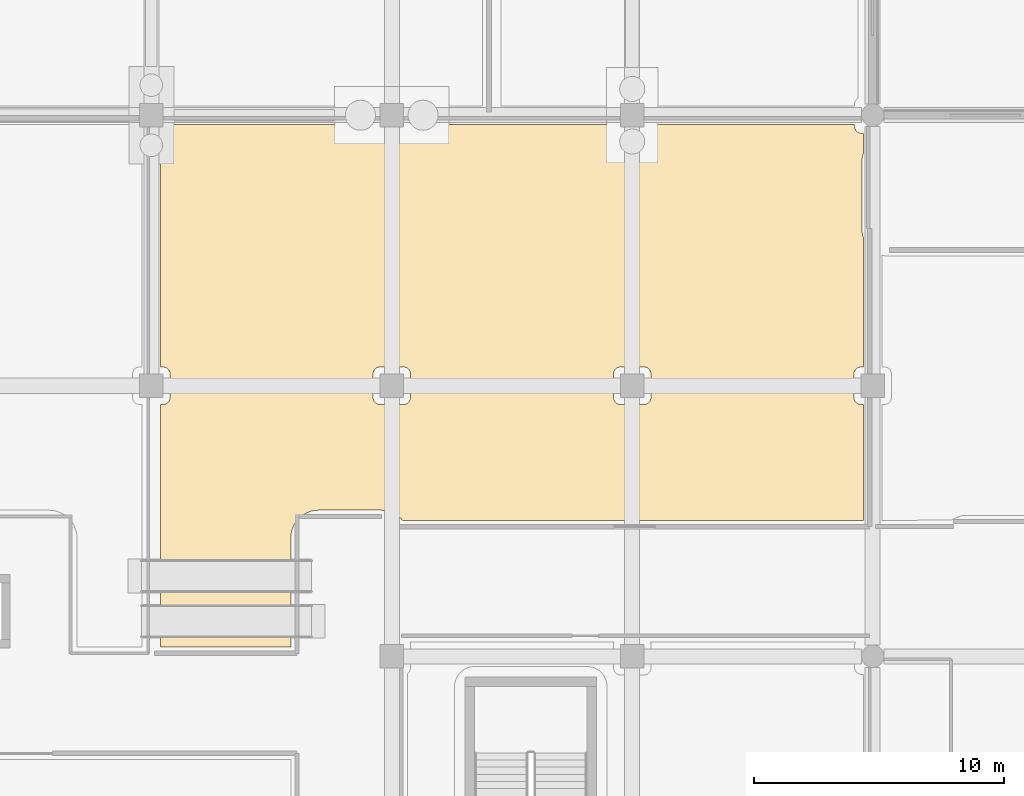
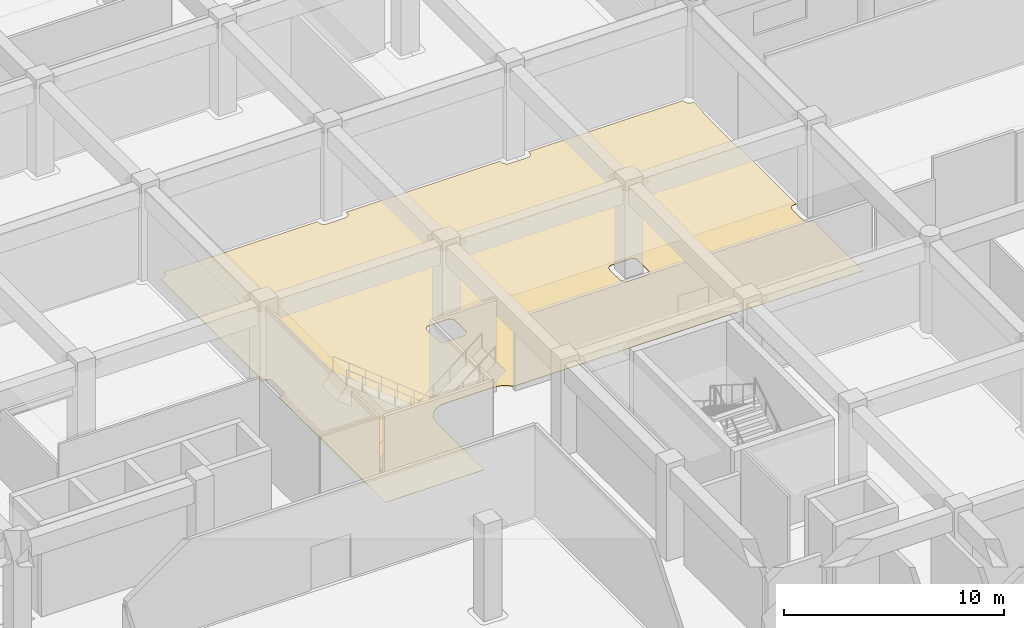
# One storey, part 55 of 74: 1 covering.
"""IFC4 building model written with IfcOpenShell, lengths in metres."""

from ifc_helpers import new_model, si_unit, direction, origin, place, context, subcontext, project, spatial, polyline, outline, extrude, material, layer, layer_set, type_object, element, save


model = new_model("IFC4")

# Units and contexts
model_context = context("Model", 3, precision=1e-05, world=origin(), true_north=direction((0.0, 1.0)))
body_context = subcontext(model_context, "Body", "Model", "MODEL_VIEW")
ifc_project = project(units=[si_unit("LENGTHUNIT", "METRE"), si_unit("AREAUNIT", "SQUARE_METRE"), si_unit("VOLUMEUNIT", "CUBIC_METRE"), si_unit("PLANEANGLEUNIT", "RADIAN"), si_unit("MASSUNIT", "GRAM", prefix="KILO")], contexts=[model_context])

# Site, building, storey
site_placement = place(None, origin())
site = spatial("IfcSite", under=ifc_project, at=site_placement, CompositionType="ELEMENT")
building_placement = place(site_placement, origin())
building = spatial("IfcBuilding", under=site, at=building_placement, Name="Cendralis Terraced Arcade", CompositionType="ELEMENT")
storey_placement = place(building_placement, origin())
storey = spatial("IfcBuildingStorey", under=building, at=storey_placement, Name="L00", CompositionType="ELEMENT", Elevation=0.0)

# Covering
ifc_material = material(Name="Warm Andean oak timber", Category="wood")
ifc_layer = layer(ifc_material, 0.02197265625, Name="COV-FLR-OAK-22")
ifc_layer_set = layer_set([ifc_layer], Name="Warm Andean oak timber")
covering_type = type_object("IfcCoveringType", Name="COV-FLR-OAK-22", PredefinedType="FLOORING", material=ifc_layer_set)
covering_placement = place(storey_placement, origin())
element("IfcCovering", 1, at=covering_placement, inside=storey, type_object=covering_type, Name="Interior Finish Flooring L00-029", PredefinedType="FLOORING", context=body_context, shape_type="SweptSolid", body=[
    extrude(outline(polyline([(48.430908203125, 43.833251953125), (48.42724609375, 43.837890625), (48.423095703125, 43.84228515625), (48.382080078125, 43.887451171875), (48.378173828125, 43.89208984375), (48.3740234375, 43.896240234375), (48.36962890625, 43.900634765625), (48.361328125, 43.908935546875), (48.35693359375, 43.9130859375), (48.352783203125, 43.917236328125), (48.34814453125, 43.92138671875), (48.302978515625, 43.96240234375), (48.298583984375, 43.96630859375), (48.294189453125, 43.97021484375), (48.289306640625, 43.97412109375), (48.2802734375, 43.981689453125), (48.275390625, 43.985595703125), (48.27099609375, 43.989013671875), (48.26611328125, 43.992919921875), (48.217041015625, 44.029052734375), (48.212158203125, 44.03271484375), (48.207275390625, 44.0361328125), (48.202392578125, 44.03955078125), (48.1923828125, 44.046142578125), (48.187255859375, 44.04931640625), (48.182373046875, 44.052490234375), (48.177001953125, 44.055908203125), (48.125, 44.087158203125), (48.11962890625, 44.090087890625), (48.114501953125, 44.093017578125), (48.109130859375, 44.095947265625), (48.098876953125, 44.1015625), (48.09326171875, 44.1044921875), (48.087890625, 44.107177734375), (48.08251953125, 44.109619140625), (48.027587890625, 44.1357421875), (48.02197265625, 44.13818359375), (48.0166015625, 44.140625), (48.010986328125, 44.14306640625), (48.0, 44.147705078125), (47.994384765625, 44.14990234375), (47.989013671875, 44.152099609375), (47.983154296875, 44.154296875), (47.92578125, 44.1748046875), (47.919921875, 44.1767578125), (47.914306640625, 44.178466796875), (47.90869140625, 44.180419921875), (47.897216796875, 44.183837890625), (47.891357421875, 44.185546875), (47.8857421875, 44.18701171875), (47.8798828125, 44.188720703125), (47.82080078125, 44.203369140625), (47.814697265625, 44.204833984375), (47.80908203125, 44.2060546875), (47.802978515625, 44.20751953125), (47.79150390625, 44.209716796875), (47.785400390625, 44.210693359375), (47.77978515625, 44.2119140625), (47.773681640625, 44.212890625), (47.71337890625, 44.2216796875), (47.70751953125, 44.222412109375), (47.701416015625, 44.223388671875), (47.6953125, 44.223876953125), (47.68359375, 44.22509765625), (47.677490234375, 44.2255859375), (47.671630859375, 44.22607421875), (47.66552734375, 44.226318359375), (47.604736328125, 44.2294921875), (47.601806640625, 44.2294921875), (47.598876953125, 44.2294921875), (47.595703125, 44.229736328125), (47.58984375, 44.22998046875), (47.5869140625, 44.22998046875), (47.583740234375, 44.22998046875), (47.580810546875, 44.22998046875), (45.080078125, 44.22998046875), (45.076904296875, 44.22998046875), (45.073974609375, 44.22998046875), (45.07080078125, 44.22998046875), (45.06494140625, 44.229736328125), (45.06201171875, 44.2294921875), (45.05908203125, 44.2294921875), (45.055908203125, 44.2294921875), (44.9951171875, 44.226318359375), (44.989013671875, 44.22607421875), (44.983154296875, 44.2255859375), (44.97705078125, 44.22509765625), (44.96533203125, 44.223876953125), (44.959228515625, 44.223388671875), (44.953369140625, 44.222412109375), (44.947265625, 44.2216796875), (44.88720703125, 44.212890625), (44.881103515625, 44.2119140625), (44.875244140625, 44.210693359375), (44.869384765625, 44.209716796875), (44.857666015625, 44.20751953125), (44.851806640625, 44.2060546875), (44.845947265625, 44.204833984375), (44.840087890625, 44.203369140625), (44.781005859375, 44.188720703125), (44.77490234375, 44.18701171875), (44.769287109375, 44.185546875), (44.763427734375, 44.183837890625), (44.752197265625, 44.180419921875), (44.746337890625, 44.178466796875), (44.74072265625, 44.1767578125), (44.73486328125, 44.1748046875), (44.677734375, 44.154296875), (44.671875, 44.152099609375), (44.66650390625, 44.14990234375), (44.66064453125, 44.147705078125), (44.64990234375, 44.14306640625), (44.644287109375, 44.140625), (44.638916015625, 44.13818359375), (44.63330078125, 44.1357421875), (44.578125, 44.109619140625), (44.57275390625, 44.107177734375), (44.5673828125, 44.1044921875), (44.56201171875, 44.1015625), (44.551513671875, 44.095947265625), (44.546142578125, 44.093017578125), (44.541015625, 44.090087890625), (44.535888671875, 44.087158203125), (44.483642578125, 44.055908203125), (44.478515625, 44.052490234375), (44.473388671875, 44.04931640625), (44.46826171875, 44.046142578125), (44.45849609375, 44.03955078125), (44.453369140625, 44.0361328125), (44.448486328125, 44.03271484375), (44.443603515625, 44.029052734375), (44.394775390625, 43.992919921875), (44.389892578125, 43.989013671875), (44.38525390625, 43.985595703125), (44.380615234375, 43.981689453125), (44.371337890625, 43.97412109375), (44.36669921875, 43.97021484375), (44.3623046875, 43.96630859375), (44.357666015625, 43.96240234375), (44.3125, 43.92138671875), (44.30810546875, 43.917236328125), (44.3037109375, 43.9130859375), (44.29931640625, 43.908935546875), (44.291015625, 43.900634765625), (44.286865234375, 43.896240234375), (44.28271484375, 43.89208984375), (44.278564453125, 43.887451171875), (44.23779296875, 43.84228515625), (44.233642578125, 43.837890625), (44.229736328125, 43.833251953125), (44.225830078125, 43.82861328125), (44.21826171875, 43.819580078125), (44.214599609375, 43.814697265625), (44.2109375, 43.81005859375), (44.207275390625, 43.80517578125), (44.1708984375, 43.75634765625), (44.167236328125, 43.75146484375), (44.163818359375, 43.74658203125), (44.160400390625, 43.741455078125), (44.15380859375, 43.731689453125), (44.150634765625, 43.7265625), (44.1474609375, 43.7216796875), (44.144287109375, 43.71630859375), (44.11279296875, 43.664306640625), (44.10986328125, 43.658935546875), (44.10693359375, 43.65380859375), (44.10400390625, 43.6484375), (44.098388671875, 43.637939453125), (44.095703125, 43.632568359375), (44.093017578125, 43.627197265625), (44.09033203125, 43.621826171875), (44.064208984375, 43.56689453125), (44.061767578125, 43.561279296875), (44.059326171875, 43.555908203125), (44.056884765625, 43.55029296875), (44.052490234375, 43.539306640625), (44.050048828125, 43.53369140625), (44.048095703125, 43.528076171875), (44.0458984375, 43.522216796875), (44.025390625, 43.465087890625), (44.023193359375, 43.459228515625), (44.021484375, 43.45361328125), (44.01953125, 43.44775390625), (44.01611328125, 43.4365234375), (44.014404296875, 43.4306640625), (44.012939453125, 43.425048828125), (44.011474609375, 43.4189453125), (43.99658203125, 43.360107421875), (43.9951171875, 43.35400390625), (43.993896484375, 43.348388671875), (43.99267578125, 43.34228515625), (43.990234375, 43.330810546875), (43.9892578125, 43.32470703125), (43.98828125, 43.31884765625), (43.9873046875, 43.31298828125), (43.978271484375, 43.252685546875), (43.9775390625, 43.24658203125), (43.976806640625, 43.24072265625), (43.97607421875, 43.234619140625), (43.974853515625, 43.222900390625), (43.974365234375, 43.216796875), (43.97412109375, 43.2109375), (43.9736328125, 43.204833984375), (43.970703125, 43.14404296875), (43.970458984375, 43.14111328125), (43.970458984375, 43.137939453125), (43.97021484375, 43.135009765625), (43.97021484375, 43.129150390625), (43.97021484375, 43.1259765625), (43.969970703125, 43.123046875), (43.969970703125, 43.1201171875), (43.969970703125, 38.77001953125), (38.77001953125, 38.77001953125), (38.77001953125, 48.455078125), (38.875, 48.455078125), (38.88720703125, 48.455322265625), (38.88916015625, 48.455322265625), (38.91357421875, 48.457763671875), (38.91552734375, 48.4580078125), (38.939697265625, 48.462890625), (38.941650390625, 48.46337890625), (38.965087890625, 48.470458984375), (38.966796875, 48.47119140625), (38.989501953125, 48.48046875), (38.9912109375, 48.4814453125), (39.012939453125, 48.492919921875), (39.0146484375, 48.493896484375), (39.034912109375, 48.507568359375), (39.03662109375, 48.5087890625), (39.0556640625, 48.5244140625), (39.056884765625, 48.525634765625), (39.074462890625, 48.54296875), (39.07568359375, 48.54443359375), (39.09130859375, 48.5634765625), (39.09228515625, 48.56494140625), (39.106201171875, 48.58544921875), (39.107177734375, 48.5869140625), (39.11865234375, 48.608642578125), (39.119384765625, 48.610595703125), (39.12890625, 48.633056640625), (39.12939453125, 48.635009765625), (39.13671875, 48.658447265625), (39.13720703125, 48.660400390625), (39.141845703125, 48.684326171875), (39.14208984375, 48.686279296875), (39.14453125, 48.710693359375), (39.144775390625, 48.712646484375), (39.14501953125, 48.72509765625), (39.14501953125, 49.675048828125), (39.144775390625, 49.687255859375), (39.14453125, 49.689208984375), (39.14208984375, 49.713623046875), (39.141845703125, 49.715576171875), (39.13720703125, 49.739501953125), (39.13671875, 49.74169921875), (39.12939453125, 49.764892578125), (39.12890625, 49.766845703125), (39.119384765625, 49.78955078125), (39.11865234375, 49.791259765625), (39.107177734375, 49.81298828125), (39.106201171875, 49.814697265625), (39.09228515625, 49.8349609375), (39.09130859375, 49.836669921875), (39.07568359375, 49.855712890625), (39.074462890625, 49.85693359375), (39.056884765625, 49.87451171875), (39.0556640625, 49.875732421875), (39.03662109375, 49.891357421875), (39.034912109375, 49.892333984375), (39.0146484375, 49.906005859375), (39.012939453125, 49.906982421875), (38.9912109375, 49.918701171875), (38.989501953125, 49.91943359375), (38.966796875, 49.928955078125), (38.965087890625, 49.929443359375), (38.941650390625, 49.9365234375), (38.939697265625, 49.93701171875), (38.91552734375, 49.94189453125), (38.91357421875, 49.942138671875), (38.88916015625, 49.944580078125), (38.88720703125, 49.944580078125), (38.875, 49.945068359375), (38.77001953125, 49.945068359375), (38.77001953125, 59.2548828125), (38.875, 59.2548828125), (38.88720703125, 59.25537109375), (38.88916015625, 59.25537109375), (38.91357421875, 59.2578125), (38.91552734375, 59.258056640625), (38.939697265625, 59.262939453125), (38.941650390625, 59.263427734375), (38.965087890625, 59.2705078125), (38.966796875, 59.27099609375), (38.989501953125, 59.280517578125), (38.9912109375, 59.281494140625), (39.012939453125, 59.29296875), (39.0146484375, 59.2939453125), (39.034912109375, 59.3076171875), (39.03662109375, 59.30859375), (39.0556640625, 59.32421875), (39.056884765625, 59.32568359375), (39.074462890625, 59.343017578125), (39.07568359375, 59.344482421875), (39.09130859375, 59.36328125), (39.09228515625, 59.364990234375), (39.106201171875, 59.385498046875), (39.107177734375, 59.386962890625), (39.11865234375, 59.40869140625), (39.119384765625, 59.410400390625), (39.12890625, 59.43310546875), (39.12939453125, 59.43505859375), (39.13671875, 59.45849609375), (39.13720703125, 59.46044921875), (39.141845703125, 59.484375), (39.14208984375, 59.486328125), (39.14453125, 59.5107421875), (39.144775390625, 59.5126953125), (39.14501953125, 59.52490234375), (39.14501953125, 59.6298828125), (47.2548828125, 59.6298828125), (47.2548828125, 59.52490234375), (47.25537109375, 59.5126953125), (47.25537109375, 59.5107421875), (47.2578125, 59.486328125), (47.258056640625, 59.484375), (47.262939453125, 59.46044921875), (47.263427734375, 59.45849609375), (47.2705078125, 59.43505859375), (47.27099609375, 59.43310546875), (47.280517578125, 59.410400390625), (47.281494140625, 59.40869140625), (47.29296875, 59.386962890625), (47.2939453125, 59.385498046875), (47.3076171875, 59.364990234375), (47.30859375, 59.36328125), (47.32421875, 59.344482421875), (47.32568359375, 59.343017578125), (47.343017578125, 59.32568359375), (47.344482421875, 59.32421875), (47.36328125, 59.30859375), (47.364990234375, 59.3076171875), (47.385498046875, 59.2939453125), (47.386962890625, 59.29296875), (47.40869140625, 59.281494140625), (47.410400390625, 59.280517578125), (47.43310546875, 59.27099609375), (47.43505859375, 59.2705078125), (47.45849609375, 59.263427734375), (47.46044921875, 59.262939453125), (47.484375, 59.258056640625), (47.486328125, 59.2578125), (47.5107421875, 59.25537109375), (47.5126953125, 59.25537109375), (47.52490234375, 59.2548828125), (48.47509765625, 59.2548828125), (48.4873046875, 59.25537109375), (48.4892578125, 59.25537109375), (48.513671875, 59.2578125), (48.515625, 59.258056640625), (48.53955078125, 59.262939453125), (48.54150390625, 59.263427734375), (48.56494140625, 59.2705078125), (48.56689453125, 59.27099609375), (48.589599609375, 59.280517578125), (48.59130859375, 59.281494140625), (48.613037109375, 59.29296875), (48.614501953125, 59.2939453125), (48.635009765625, 59.3076171875), (48.63671875, 59.30859375), (48.655517578125, 59.32421875), (48.656982421875, 59.32568359375), (48.67431640625, 59.343017578125), (48.67578125, 59.344482421875), (48.69140625, 59.36328125), (48.6923828125, 59.364990234375), (48.7060546875, 59.385498046875), (48.70703125, 59.386962890625), (48.718505859375, 59.40869140625), (48.719482421875, 59.410400390625), (48.72900390625, 59.43310546875), (48.7294921875, 59.43505859375), (48.736572265625, 59.45849609375), (48.737060546875, 59.46044921875), (48.741943359375, 59.484375), (48.7421875, 59.486328125), (48.74462890625, 59.5107421875), (48.74462890625, 59.5126953125), (48.7451171875, 59.52490234375), (48.7451171875, 59.6298828125), (56.85498046875, 59.6298828125), (56.85498046875, 59.52490234375), (56.855224609375, 59.5126953125), (56.85546875, 59.5107421875), (56.85791015625, 59.486328125), (56.858154296875, 59.484375), (56.86279296875, 59.46044921875), (56.86328125, 59.45849609375), (56.87060546875, 59.43505859375), (56.87109375, 59.43310546875), (56.880615234375, 59.410400390625), (56.88134765625, 59.40869140625), (56.892822265625, 59.386962890625), (56.893798828125, 59.385498046875), (56.90771484375, 59.364990234375), (56.90869140625, 59.36328125), (56.92431640625, 59.344482421875), (56.925537109375, 59.343017578125), (56.943115234375, 59.32568359375), (56.9443359375, 59.32421875), (56.96337890625, 59.30859375), (56.965087890625, 59.3076171875), (56.9853515625, 59.2939453125), (56.987060546875, 59.29296875), (57.0087890625, 59.281494140625), (57.010498046875, 59.280517578125), (57.033203125, 59.27099609375), (57.034912109375, 59.2705078125), (57.058349609375, 59.263427734375), (57.060302734375, 59.262939453125), (57.08447265625, 59.258056640625), (57.08642578125, 59.2578125), (57.11083984375, 59.25537109375), (57.11279296875, 59.25537109375), (57.125, 59.2548828125), (58.074951171875, 59.2548828125), (58.08740234375, 59.25537109375), (58.089111328125, 59.25537109375), (58.113525390625, 59.2578125), (58.115478515625, 59.258056640625), (58.1396484375, 59.262939453125), (58.1416015625, 59.263427734375), (58.1650390625, 59.2705078125), (58.1669921875, 59.27099609375), (58.189453125, 59.280517578125), (58.19140625, 59.281494140625), (58.212890625, 59.29296875), (58.214599609375, 59.2939453125), (58.235107421875, 59.3076171875), (58.236572265625, 59.30859375), (58.255615234375, 59.32421875), (58.257080078125, 59.32568359375), (58.2744140625, 59.343017578125), (58.275634765625, 59.344482421875), (58.291259765625, 59.36328125), (58.29248046875, 59.364990234375), (58.30615234375, 59.385498046875), (58.30712890625, 59.386962890625), (58.318603515625, 59.40869140625), (58.319580078125, 59.410400390625), (58.328857421875, 59.43310546875), (58.32958984375, 59.43505859375), (58.336669921875, 59.45849609375), (58.337158203125, 59.46044921875), (58.341796875, 59.484375), (58.34228515625, 59.486328125), (58.344482421875, 59.5107421875), (58.3447265625, 59.5126953125), (58.344970703125, 59.52490234375), (58.344970703125, 59.6298828125), (66.47998046875, 59.6298828125), (66.47998046875, 59.550048828125), (66.480224609375, 59.53759765625), (66.48046875, 59.535888671875), (66.48291015625, 59.511474609375), (66.483154296875, 59.509521484375), (66.48779296875, 59.4853515625), (66.48828125, 59.4833984375), (66.49560546875, 59.4599609375), (66.49609375, 59.4580078125), (66.505615234375, 59.435546875), (66.50634765625, 59.43359375), (66.517822265625, 59.412109375), (66.518798828125, 59.410400390625), (66.53271484375, 59.389892578125), (66.53369140625, 59.388427734375), (66.54931640625, 59.369384765625), (66.550537109375, 59.367919921875), (66.568115234375, 59.3505859375), (66.5693359375, 59.349365234375), (66.58837890625, 59.333740234375), (66.590087890625, 59.33251953125), (66.6103515625, 59.31884765625), (66.612060546875, 59.31787109375), (66.6337890625, 59.306396484375), (66.635498046875, 59.305419921875), (66.658203125, 59.296142578125), (66.659912109375, 59.29541015625), (66.683349609375, 59.288330078125), (66.685302734375, 59.287841796875), (66.70947265625, 59.283203125), (66.71142578125, 59.28271484375), (66.73583984375, 59.280517578125), (66.73779296875, 59.2802734375), (66.75, 59.280029296875), (66.830078125, 59.280029296875), (66.830078125, 58.47802734375), (66.8251953125, 58.465087890625), (66.8232421875, 58.459228515625), (66.821533203125, 58.45361328125), (66.819580078125, 58.44775390625), (66.816162109375, 58.4365234375), (66.814453125, 58.4306640625), (66.81298828125, 58.425048828125), (66.811279296875, 58.4189453125), (66.796630859375, 58.360107421875), (66.795166015625, 58.35400390625), (66.7939453125, 58.348388671875), (66.79248046875, 58.34228515625), (66.790283203125, 58.330810546875), (66.789306640625, 58.32470703125), (66.7880859375, 58.31884765625), (66.787109375, 58.31298828125), (66.7783203125, 58.252685546875), (66.777587890625, 58.24658203125), (66.776611328125, 58.24072265625), (66.776123046875, 58.234619140625), (66.77490234375, 58.222900390625), (66.7744140625, 58.216796875), (66.77392578125, 58.2109375), (66.773681640625, 58.204833984375), (66.7705078125, 58.14404296875), (66.7705078125, 58.14111328125), (66.7705078125, 58.137939453125), (66.770263671875, 58.135009765625), (66.77001953125, 58.129150390625), (66.77001953125, 58.1259765625), (66.77001953125, 58.123046875), (66.77001953125, 58.1201171875), (66.77001953125, 55.47998046875), (66.77001953125, 55.476806640625), (66.77001953125, 55.47412109375), (66.77001953125, 55.470947265625), (66.770263671875, 55.465087890625), (66.7705078125, 55.4619140625), (66.7705078125, 55.458984375), (66.7705078125, 55.4560546875), (66.773681640625, 55.395263671875), (66.77392578125, 55.38916015625), (66.7744140625, 55.38330078125), (66.77490234375, 55.377197265625), (66.776123046875, 55.365478515625), (66.776611328125, 55.359375), (66.777587890625, 55.353515625), (66.7783203125, 55.347412109375), (66.787109375, 55.287109375), (66.7880859375, 55.281005859375), (66.789306640625, 55.275390625), (66.790283203125, 55.269287109375), (66.79248046875, 55.2578125), (66.7939453125, 55.251708984375), (66.795166015625, 55.24609375), (66.796630859375, 55.239990234375), (66.811279296875, 55.180908203125), (66.81298828125, 55.175048828125), (66.814453125, 55.16943359375), (66.816162109375, 55.16357421875), (66.819580078125, 55.152099609375), (66.821533203125, 55.146240234375), (66.8232421875, 55.140625), (66.8251953125, 55.135009765625), (66.830078125, 55.121826171875), (66.830078125, 49.945068359375), (66.72509765625, 49.945068359375), (66.712646484375, 49.944580078125), (66.710693359375, 49.944580078125), (66.686279296875, 49.942138671875), (66.684326171875, 49.94189453125), (66.660400390625, 49.93701171875), (66.658447265625, 49.9365234375), (66.635009765625, 49.929443359375), (66.633056640625, 49.928955078125), (66.610595703125, 49.91943359375), (66.608642578125, 49.918701171875), (66.5869140625, 49.906982421875), (66.58544921875, 49.906005859375), (66.56494140625, 49.892333984375), (66.5634765625, 49.891357421875), (66.54443359375, 49.875732421875), (66.54296875, 49.87451171875), (66.525634765625, 49.85693359375), (66.5244140625, 49.855712890625), (66.5087890625, 49.836669921875), (66.507568359375, 49.8349609375), (66.493896484375, 49.814697265625), (66.492919921875, 49.81298828125), (66.4814453125, 49.791259765625), (66.48046875, 49.78955078125), (66.47119140625, 49.766845703125), (66.470458984375, 49.764892578125), (66.46337890625, 49.74169921875), (66.462890625, 49.739501953125), (66.4580078125, 49.715576171875), (66.457763671875, 49.713623046875), (66.455322265625, 49.689208984375), (66.455322265625, 49.687255859375), (66.455078125, 49.675048828125), (66.455078125, 48.72509765625), (66.455322265625, 48.712646484375), (66.455322265625, 48.710693359375), (66.457763671875, 48.686279296875), (66.4580078125, 48.684326171875), (66.462890625, 48.660400390625), (66.46337890625, 48.658447265625), (66.470458984375, 48.635009765625), (66.47119140625, 48.633056640625), (66.48046875, 48.610595703125), (66.4814453125, 48.608642578125), (66.492919921875, 48.5869140625), (66.493896484375, 48.58544921875), (66.507568359375, 48.56494140625), (66.5087890625, 48.5634765625), (66.5244140625, 48.54443359375), (66.525634765625, 48.54296875), (66.54296875, 48.525634765625), (66.54443359375, 48.5244140625), (66.5634765625, 48.5087890625), (66.56494140625, 48.507568359375), (66.58544921875, 48.493896484375), (66.5869140625, 48.492919921875), (66.608642578125, 48.4814453125), (66.610595703125, 48.48046875), (66.633056640625, 48.47119140625), (66.635009765625, 48.470458984375), (66.658447265625, 48.46337890625), (66.660400390625, 48.462890625), (66.684326171875, 48.4580078125), (66.686279296875, 48.457763671875), (66.710693359375, 48.455322265625), (66.712646484375, 48.455322265625), (66.72509765625, 48.455078125), (66.830078125, 48.455078125), (66.830078125, 43.830078125), (48.433837890625, 43.830078125), (48.430908203125, 43.833251953125)]), holes=[polyline([(57.0087890625, 48.4814453125), (57.010498046875, 48.48046875), (57.033203125, 48.47119140625), (57.034912109375, 48.470458984375), (57.058349609375, 48.46337890625), (57.060302734375, 48.462890625), (57.08447265625, 48.4580078125), (57.08642578125, 48.457763671875), (57.11083984375, 48.455322265625), (57.11279296875, 48.455322265625), (57.125, 48.455078125), (58.074951171875, 48.455078125), (58.08740234375, 48.455322265625), (58.089111328125, 48.455322265625), (58.113525390625, 48.457763671875), (58.115478515625, 48.4580078125), (58.1396484375, 48.462890625), (58.1416015625, 48.46337890625), (58.1650390625, 48.470458984375), (58.1669921875, 48.47119140625), (58.189453125, 48.48046875), (58.19140625, 48.4814453125), (58.212890625, 48.492919921875), (58.214599609375, 48.493896484375), (58.235107421875, 48.507568359375), (58.236572265625, 48.5087890625), (58.255615234375, 48.5244140625), (58.257080078125, 48.525634765625), (58.2744140625, 48.54296875), (58.275634765625, 48.54443359375), (58.291259765625, 48.5634765625), (58.29248046875, 48.56494140625), (58.30615234375, 48.58544921875), (58.30712890625, 48.5869140625), (58.318603515625, 48.608642578125), (58.319580078125, 48.610595703125), (58.328857421875, 48.633056640625), (58.32958984375, 48.635009765625), (58.336669921875, 48.658447265625), (58.337158203125, 48.660400390625), (58.341796875, 48.684326171875), (58.34228515625, 48.686279296875), (58.344482421875, 48.710693359375), (58.3447265625, 48.712646484375), (58.344970703125, 48.72509765625), (58.344970703125, 49.675048828125), (58.3447265625, 49.687255859375), (58.344482421875, 49.689208984375), (58.34228515625, 49.713623046875), (58.341796875, 49.715576171875), (58.337158203125, 49.739501953125), (58.336669921875, 49.74169921875), (58.32958984375, 49.764892578125), (58.328857421875, 49.766845703125), (58.319580078125, 49.78955078125), (58.318603515625, 49.791259765625), (58.30712890625, 49.81298828125), (58.30615234375, 49.814697265625), (58.29248046875, 49.8349609375), (58.291259765625, 49.836669921875), (58.275634765625, 49.855712890625), (58.2744140625, 49.85693359375), (58.257080078125, 49.87451171875), (58.255615234375, 49.875732421875), (58.236572265625, 49.891357421875), (58.235107421875, 49.892333984375), (58.214599609375, 49.906005859375), (58.212890625, 49.906982421875), (58.19140625, 49.918701171875), (58.189453125, 49.91943359375), (58.1669921875, 49.928955078125), (58.1650390625, 49.929443359375), (58.1416015625, 49.9365234375), (58.1396484375, 49.93701171875), (58.115478515625, 49.94189453125), (58.113525390625, 49.942138671875), (58.089111328125, 49.944580078125), (58.08740234375, 49.944580078125), (58.074951171875, 49.945068359375), (57.125, 49.945068359375), (57.11279296875, 49.944580078125), (57.11083984375, 49.944580078125), (57.08642578125, 49.942138671875), (57.08447265625, 49.94189453125), (57.060302734375, 49.93701171875), (57.058349609375, 49.9365234375), (57.034912109375, 49.929443359375), (57.033203125, 49.928955078125), (57.010498046875, 49.91943359375), (57.0087890625, 49.918701171875), (56.987060546875, 49.906982421875), (56.9853515625, 49.906005859375), (56.965087890625, 49.892333984375), (56.96337890625, 49.891357421875), (56.9443359375, 49.875732421875), (56.943115234375, 49.87451171875), (56.925537109375, 49.85693359375), (56.92431640625, 49.855712890625), (56.90869140625, 49.836669921875), (56.90771484375, 49.8349609375), (56.893798828125, 49.814697265625), (56.892822265625, 49.81298828125), (56.88134765625, 49.791259765625), (56.880615234375, 49.78955078125), (56.87109375, 49.766845703125), (56.87060546875, 49.764892578125), (56.86328125, 49.74169921875), (56.86279296875, 49.739501953125), (56.858154296875, 49.715576171875), (56.85791015625, 49.713623046875), (56.85546875, 49.689208984375), (56.855224609375, 49.687255859375), (56.85498046875, 49.675048828125), (56.85498046875, 48.72509765625), (56.855224609375, 48.712646484375), (56.85546875, 48.710693359375), (56.85791015625, 48.686279296875), (56.858154296875, 48.684326171875), (56.86279296875, 48.660400390625), (56.86328125, 48.658447265625), (56.87060546875, 48.635009765625), (56.87109375, 48.633056640625), (56.880615234375, 48.610595703125), (56.88134765625, 48.608642578125), (56.892822265625, 48.5869140625), (56.893798828125, 48.58544921875), (56.90771484375, 48.56494140625), (56.90869140625, 48.5634765625), (56.92431640625, 48.54443359375), (56.925537109375, 48.54296875), (56.943115234375, 48.525634765625), (56.9443359375, 48.5244140625), (56.96337890625, 48.5087890625), (56.965087890625, 48.507568359375), (56.9853515625, 48.493896484375), (56.987060546875, 48.492919921875), (57.0087890625, 48.4814453125)]), polyline([(47.385498046875, 48.493896484375), (47.386962890625, 48.492919921875), (47.40869140625, 48.4814453125), (47.410400390625, 48.48046875), (47.43310546875, 48.47119140625), (47.43505859375, 48.470458984375), (47.45849609375, 48.46337890625), (47.46044921875, 48.462890625), (47.484375, 48.4580078125), (47.486328125, 48.457763671875), (47.5107421875, 48.455322265625), (47.5126953125, 48.455322265625), (47.52490234375, 48.455078125), (48.47509765625, 48.455078125), (48.4873046875, 48.455322265625), (48.4892578125, 48.455322265625), (48.513671875, 48.457763671875), (48.515625, 48.4580078125), (48.53955078125, 48.462890625), (48.54150390625, 48.46337890625), (48.56494140625, 48.470458984375), (48.56689453125, 48.47119140625), (48.589599609375, 48.48046875), (48.59130859375, 48.4814453125), (48.613037109375, 48.492919921875), (48.614501953125, 48.493896484375), (48.635009765625, 48.507568359375), (48.63671875, 48.5087890625), (48.655517578125, 48.5244140625), (48.656982421875, 48.525634765625), (48.67431640625, 48.54296875), (48.67578125, 48.54443359375), (48.69140625, 48.5634765625), (48.6923828125, 48.56494140625), (48.7060546875, 48.58544921875), (48.70703125, 48.5869140625), (48.718505859375, 48.608642578125), (48.719482421875, 48.610595703125), (48.72900390625, 48.633056640625), (48.7294921875, 48.635009765625), (48.736572265625, 48.658447265625), (48.737060546875, 48.660400390625), (48.741943359375, 48.684326171875), (48.7421875, 48.686279296875), (48.74462890625, 48.710693359375), (48.74462890625, 48.712646484375), (48.7451171875, 48.72509765625), (48.7451171875, 49.675048828125), (48.74462890625, 49.687255859375), (48.74462890625, 49.689208984375), (48.7421875, 49.713623046875), (48.741943359375, 49.715576171875), (48.737060546875, 49.739501953125), (48.736572265625, 49.74169921875), (48.7294921875, 49.764892578125), (48.72900390625, 49.766845703125), (48.719482421875, 49.78955078125), (48.718505859375, 49.791259765625), (48.70703125, 49.81298828125), (48.7060546875, 49.814697265625), (48.6923828125, 49.8349609375), (48.69140625, 49.836669921875), (48.67578125, 49.855712890625), (48.67431640625, 49.85693359375), (48.656982421875, 49.87451171875), (48.655517578125, 49.875732421875), (48.63671875, 49.891357421875), (48.635009765625, 49.892333984375), (48.614501953125, 49.906005859375), (48.613037109375, 49.906982421875), (48.59130859375, 49.918701171875), (48.589599609375, 49.91943359375), (48.56689453125, 49.928955078125), (48.56494140625, 49.929443359375), (48.54150390625, 49.9365234375), (48.53955078125, 49.93701171875), (48.515625, 49.94189453125), (48.513671875, 49.942138671875), (48.4892578125, 49.944580078125), (48.4873046875, 49.944580078125), (48.47509765625, 49.945068359375), (47.52490234375, 49.945068359375), (47.5126953125, 49.944580078125), (47.5107421875, 49.944580078125), (47.486328125, 49.942138671875), (47.484375, 49.94189453125), (47.46044921875, 49.93701171875), (47.45849609375, 49.9365234375), (47.43505859375, 49.929443359375), (47.43310546875, 49.928955078125), (47.410400390625, 49.91943359375), (47.40869140625, 49.918701171875), (47.386962890625, 49.906982421875), (47.385498046875, 49.906005859375), (47.364990234375, 49.892333984375), (47.36328125, 49.891357421875), (47.344482421875, 49.875732421875), (47.343017578125, 49.87451171875), (47.32568359375, 49.85693359375), (47.32421875, 49.855712890625), (47.30859375, 49.836669921875), (47.3076171875, 49.8349609375), (47.2939453125, 49.814697265625), (47.29296875, 49.81298828125), (47.281494140625, 49.791259765625), (47.280517578125, 49.78955078125), (47.27099609375, 49.766845703125), (47.2705078125, 49.764892578125), (47.263427734375, 49.74169921875), (47.262939453125, 49.739501953125), (47.258056640625, 49.715576171875), (47.2578125, 49.713623046875), (47.25537109375, 49.689208984375), (47.25537109375, 49.687255859375), (47.2548828125, 49.675048828125), (47.2548828125, 48.72509765625), (47.25537109375, 48.712646484375), (47.25537109375, 48.710693359375), (47.2578125, 48.686279296875), (47.258056640625, 48.684326171875), (47.262939453125, 48.660400390625), (47.263427734375, 48.658447265625), (47.2705078125, 48.635009765625), (47.27099609375, 48.633056640625), (47.280517578125, 48.610595703125), (47.281494140625, 48.608642578125), (47.29296875, 48.5869140625), (47.2939453125, 48.58544921875), (47.3076171875, 48.56494140625), (47.30859375, 48.5634765625), (47.32421875, 48.54443359375), (47.32568359375, 48.54296875), (47.343017578125, 48.525634765625), (47.344482421875, 48.5244140625), (47.36328125, 48.5087890625), (47.364990234375, 48.507568359375), (47.385498046875, 48.493896484375)])]), origin(), (0.0, 0.0, 1.0), 0.02197265625),
])

save(model, "model.ifc")
